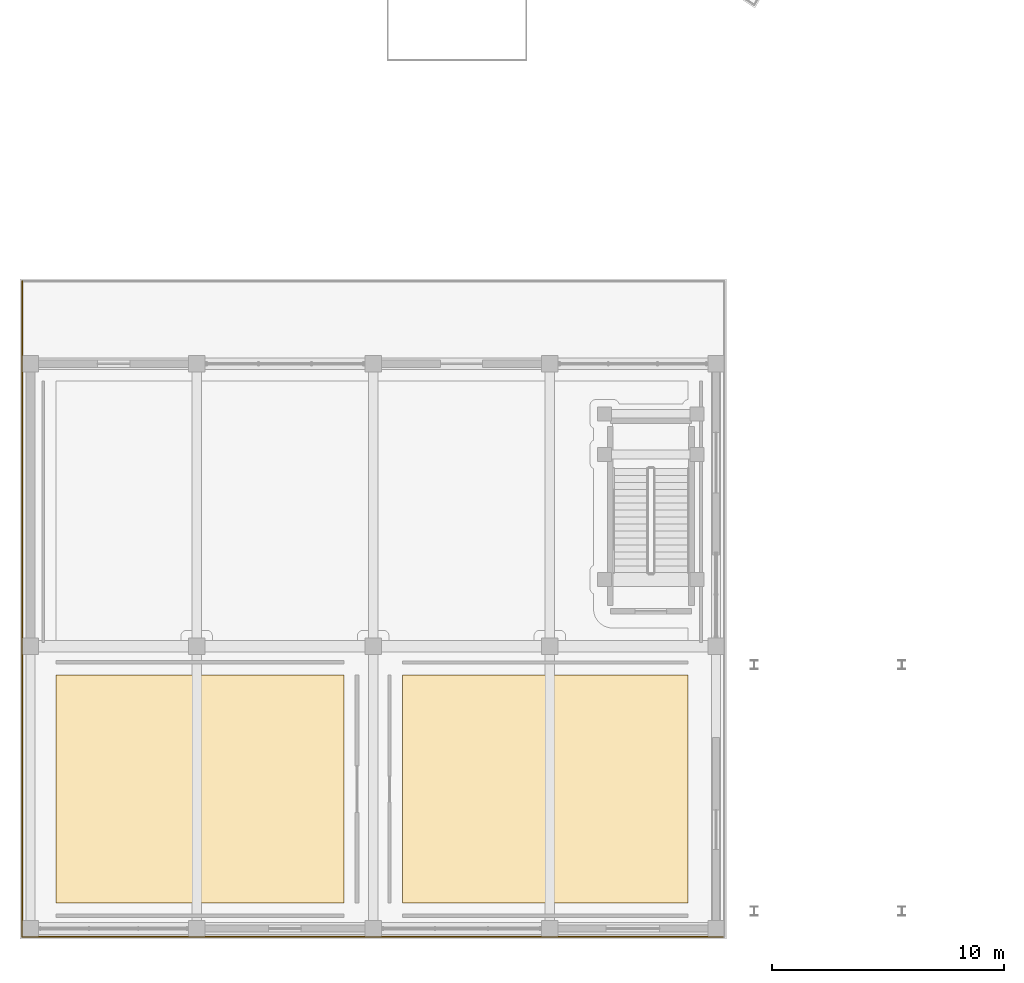
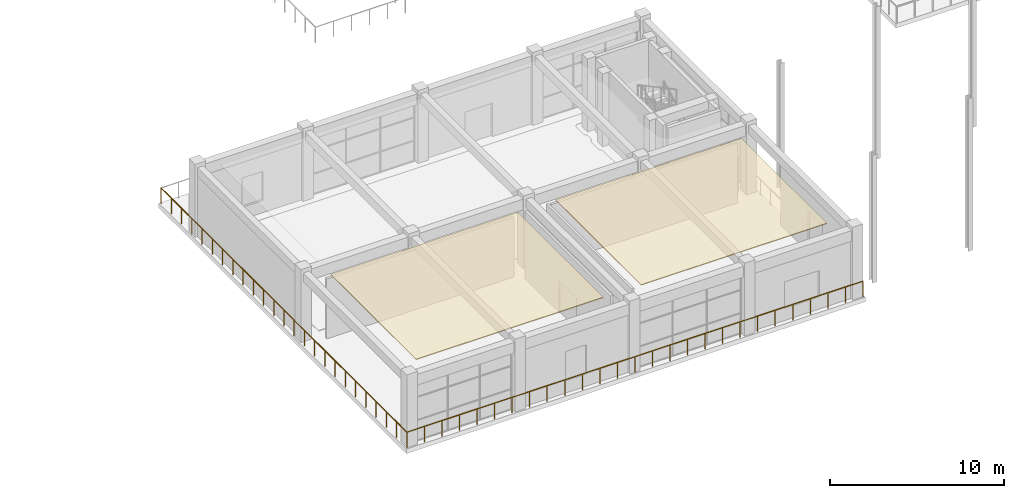
# One storey, part 77 of 99: 2 coverings, 2 railings.
"""IFC4 building model written with IfcOpenShell, lengths in metres."""

from ifc_helpers import new_model, si_unit, direction, frame, origin, origin_2d, place, context, subcontext, project, spatial, polyline, rectangle, outline, extrude, material, layer, layer_set, type_object, element, save


model = new_model("IFC4")

# Units and contexts
model_context = context("Model", 3, precision=1e-05, world=origin(), true_north=direction((0.0, 1.0)))
body_context = subcontext(model_context, "Body", "Model", "MODEL_VIEW")
ifc_project = project(units=[si_unit("LENGTHUNIT", "METRE"), si_unit("AREAUNIT", "SQUARE_METRE"), si_unit("VOLUMEUNIT", "CUBIC_METRE"), si_unit("PLANEANGLEUNIT", "RADIAN"), si_unit("MASSUNIT", "GRAM", prefix="KILO")], contexts=[model_context])

# Site, building, storey
site_placement = place(None, origin())
site = spatial("IfcSite", under=ifc_project, at=site_placement, CompositionType="ELEMENT")
building_placement = place(site_placement, origin())
building = spatial("IfcBuilding", under=site, at=building_placement, Name="Saryqyr Civic Hall", CompositionType="ELEMENT")
storey_placement = place(building_placement, origin())
storey = spatial("IfcBuildingStorey", under=building, at=storey_placement, Name="L00", CompositionType="ELEMENT", Elevation=0.0)

# Coverings
ifc_material_1 = material(Name="Mineral-fibre acoustic ceiling tile", Category="acoustic_tile")
ifc_layer_1 = layer(ifc_material_1, 0.06005859375, Name="Mineral-fibre acoustic ceiling tile")
ifc_layer_set_1 = layer_set([ifc_layer_1], Name="Mineral-fibre acoustic ceiling tile")
covering_type = type_object("IfcCoveringType", Name="INT-COV-CEIL-60", PredefinedType="CEILING", material=ifc_layer_set_1)
covering_1_placement = place(storey_placement, frame((0.0, 0.0, 4.760009765625)))
element("IfcCovering", 1, at=covering_1_placement, inside=storey, type_object=covering_type, Name="Acoustic ceiling Visitor Accreditation & Security Pavilion", PredefinedType="CEILING", context=body_context, shape_type="SweptSolid", body=[
    extrude(outline(polyline([(1.550048828125, 1.550048828125), (1.550048828125, 11.35009765625), (13.949951171875, 11.35009765625), (13.949951171875, 1.550048828125), (1.550048828125, 1.550048828125)])), origin(), (0.0, 0.0, 1.0), 0.06005859375),
])
covering_2_placement = place(storey_placement, frame((0.0, 0.0, 4.760009765625)))
element("IfcCovering", 2, at=covering_2_placement, inside=storey, type_object=covering_type, Name="Acoustic ceiling Public Civic Cafe & Bookshop", PredefinedType="CEILING", context=body_context, shape_type="SweptSolid", body=[
    extrude(outline(polyline([(16.449951171875, 1.550048828125), (16.449951171875, 11.35009765625), (28.75, 11.35009765625), (28.75, 1.550048828125), (16.449951171875, 1.550048828125)])), origin(), (0.0, 0.0, 1.0), 0.06005859375),
])

# Railings
ifc_material_2 = material(Name="Warm brushed brass and laminated glass", Category="glass")
ifc_layer_2 = layer(ifc_material_2, 0.06005859375, Name="Warm brushed brass and laminated glass")
ifc_layer_set_2 = layer_set([ifc_layer_2], Name="Warm brushed brass and laminated glass")
railing_type = type_object("IfcRailingType", Name="INT-RLG-BAL-1100", PredefinedType="BALUSTRADE", material=ifc_layer_set_2)
railing_1_placement = place(storey_placement, frame((30.300048828125, 0.10009765625, 0.0)))
element("IfcRailing", 3, at=railing_1_placement, inside=storey, type_object=railing_type, Name="Interior deck safety balustrade L00-077", PredefinedType="BALUSTRADE", context=body_context, shape_type="SweptSolid", body=[
    extrude(rectangle(XDim=0.048095703125, YDim=0.048095703125, at=origin_2d()), frame((0.0, 0.0, 1.09619140625), z_axis=(-1.0, 0.0, 0.0), x_axis=(0.0, -1.0, 0.0)), (0.0, 0.0, 1.0), 30.199951171875),
    extrude(rectangle(XDim=0.0419921875, YDim=0.0419921875, at=origin_2d()), origin(), (0.0, 0.0, 1.0), 1.072021484375),
    extrude(rectangle(XDim=0.0419921875, YDim=0.0419921875, at=origin_2d()), frame((-1.16162109375, 0.0, 0.0)), (0.0, 0.0, 1.0), 1.072021484375),
    extrude(rectangle(XDim=0.0419921875, YDim=0.0419921875, at=origin_2d()), frame((-2.322998046875, 0.0, 0.0)), (0.0, 0.0, 1.0), 1.072021484375),
    extrude(rectangle(XDim=0.0419921875, YDim=0.0419921875, at=origin_2d()), frame((-3.484619140625, 0.0, 0.0)), (0.0, 0.0, 1.0), 1.072021484375),
    extrude(rectangle(XDim=0.0419921875, YDim=0.0419921875, at=origin_2d()), frame((-4.646240234375, 0.0, 0.0)), (0.0, 0.0, 1.0), 1.072021484375),
    extrude(rectangle(XDim=0.0419921875, YDim=0.0419921875, at=origin_2d()), frame((-5.8076171875, 0.0, 0.0)), (0.0, 0.0, 1.0), 1.072021484375),
    extrude(rectangle(XDim=0.0419921875, YDim=0.0419921875, at=origin_2d()), frame((-6.96923828125, 0.0, 0.0)), (0.0, 0.0, 1.0), 1.072021484375),
    extrude(rectangle(XDim=0.0419921875, YDim=0.0419921875, at=origin_2d()), frame((-8.130859375, 0.0, 0.0)), (0.0, 0.0, 1.0), 1.072021484375),
    extrude(rectangle(XDim=0.0419921875, YDim=0.0419921875, at=origin_2d()), frame((-9.292236328125, 0.0, 0.0)), (0.0, 0.0, 1.0), 1.072021484375),
    extrude(rectangle(XDim=0.0419921875, YDim=0.0419921875, at=origin_2d()), frame((-10.453857421875, 0.0, 0.0)), (0.0, 0.0, 1.0), 1.072021484375),
    extrude(rectangle(XDim=0.0419921875, YDim=0.0419921875, at=origin_2d()), frame((-11.615478515625, 0.0, 0.0)), (0.0, 0.0, 1.0), 1.072021484375),
    extrude(rectangle(XDim=0.0419921875, YDim=0.0419921875, at=origin_2d()), frame((-12.77685546875, 0.0, 0.0)), (0.0, 0.0, 1.0), 1.072021484375),
    extrude(rectangle(XDim=0.0419921875, YDim=0.0419921875, at=origin_2d()), frame((-13.9384765625, 0.0, 0.0)), (0.0, 0.0, 1.0), 1.072021484375),
    extrude(rectangle(XDim=0.0419921875, YDim=0.0419921875, at=origin_2d()), frame((-15.10009765625, 0.0, 0.0)), (0.0, 0.0, 1.0), 1.072021484375),
    extrude(rectangle(XDim=0.0419921875, YDim=0.0419921875, at=origin_2d()), frame((-16.261474609375, 0.0, 0.0)), (0.0, 0.0, 1.0), 1.072021484375),
    extrude(rectangle(XDim=0.0419921875, YDim=0.0419921875, at=origin_2d()), frame((-17.423095703125, 0.0, 0.0)), (0.0, 0.0, 1.0), 1.072021484375),
    extrude(rectangle(XDim=0.0419921875, YDim=0.0419921875, at=origin_2d()), frame((-18.58447265625, 0.0, 0.0)), (0.0, 0.0, 1.0), 1.072021484375),
    extrude(rectangle(XDim=0.0419921875, YDim=0.0419921875, at=origin_2d()), frame((-19.74609375, 0.0, 0.0)), (0.0, 0.0, 1.0), 1.072021484375),
    extrude(rectangle(XDim=0.0419921875, YDim=0.0419921875, at=origin_2d()), frame((-20.90771484375, 0.0, 0.0)), (0.0, 0.0, 1.0), 1.072021484375),
    extrude(rectangle(XDim=0.0419921875, YDim=0.0419921875, at=origin_2d()), frame((-22.069091796875, 0.0, 0.0)), (0.0, 0.0, 1.0), 1.072021484375),
    extrude(rectangle(XDim=0.0419921875, YDim=0.0419921875, at=origin_2d()), frame((-23.230712890625, 0.0, 0.0)), (0.0, 0.0, 1.0), 1.072021484375),
    extrude(rectangle(XDim=0.0419921875, YDim=0.0419921875, at=origin_2d()), frame((-24.392333984375, 0.0, 0.0)), (0.0, 0.0, 1.0), 1.072021484375),
    extrude(rectangle(XDim=0.0419921875, YDim=0.0419921875, at=origin_2d()), frame((-25.5537109375, 0.0, 0.0)), (0.0, 0.0, 1.0), 1.072021484375),
    extrude(rectangle(XDim=0.0419921875, YDim=0.0419921875, at=origin_2d()), frame((-26.71533203125, 0.0, 0.0)), (0.0, 0.0, 1.0), 1.072021484375),
    extrude(rectangle(XDim=0.0419921875, YDim=0.0419921875, at=origin_2d()), frame((-27.876953125, 0.0, 0.0)), (0.0, 0.0, 1.0), 1.072021484375),
    extrude(rectangle(XDim=0.0419921875, YDim=0.0419921875, at=origin_2d()), frame((-29.038330078125, 0.0, 0.0)), (0.0, 0.0, 1.0), 1.072021484375),
    extrude(rectangle(XDim=0.0419921875, YDim=0.0419921875, at=origin_2d()), frame((-30.199951171875, 0.0, 0.0)), (0.0, 0.0, 1.0), 1.072021484375),
])
railing_2_placement = place(storey_placement, frame((0.10009765625, 0.10009765625, 0.0)))
element("IfcRailing", 4, at=railing_2_placement, inside=storey, type_object=railing_type, Name="Interior deck safety balustrade L00-078", PredefinedType="BALUSTRADE", context=body_context, shape_type="SweptSolid", body=[
    extrude(rectangle(XDim=0.048095703125, YDim=0.048095703125, at=origin_2d()), frame((0.0, 0.0, 1.09619140625), z_axis=(0.0, 1.0, 0.0), x_axis=(-1.0, 0.0, 0.0)), (0.0, 0.0, 1.0), 28.199951171875),
    extrude(rectangle(XDim=0.0419921875, YDim=0.0419921875, at=origin_2d()), origin(), (0.0, 0.0, 1.0), 1.072021484375),
    extrude(rectangle(XDim=0.0419921875, YDim=0.0419921875, at=origin_2d()), frame((0.0, 1.175048828125, 0.0)), (0.0, 0.0, 1.0), 1.072021484375),
    extrude(rectangle(XDim=0.0419921875, YDim=0.0419921875, at=origin_2d()), frame((0.0, 2.35009765625, 0.0)), (0.0, 0.0, 1.0), 1.072021484375),
    extrude(rectangle(XDim=0.0419921875, YDim=0.0419921875, at=origin_2d()), frame((0.0, 3.52490234375, 0.0)), (0.0, 0.0, 1.0), 1.072021484375),
    extrude(rectangle(XDim=0.0419921875, YDim=0.0419921875, at=origin_2d()), frame((0.0, 4.699951171875, 0.0)), (0.0, 0.0, 1.0), 1.072021484375),
    extrude(rectangle(XDim=0.0419921875, YDim=0.0419921875, at=origin_2d()), frame((0.0, 5.875, 0.0)), (0.0, 0.0, 1.0), 1.072021484375),
    extrude(rectangle(XDim=0.0419921875, YDim=0.0419921875, at=origin_2d()), frame((0.0, 7.050048828125, 0.0)), (0.0, 0.0, 1.0), 1.072021484375),
    extrude(rectangle(XDim=0.0419921875, YDim=0.0419921875, at=origin_2d()), frame((0.0, 8.22509765625, 0.0)), (0.0, 0.0, 1.0), 1.072021484375),
    extrude(rectangle(XDim=0.0419921875, YDim=0.0419921875, at=origin_2d()), frame((0.0, 9.39990234375, 0.0)), (0.0, 0.0, 1.0), 1.072021484375),
    extrude(rectangle(XDim=0.0419921875, YDim=0.0419921875, at=origin_2d()), frame((0.0, 10.574951171875, 0.0)), (0.0, 0.0, 1.0), 1.072021484375),
    extrude(rectangle(XDim=0.0419921875, YDim=0.0419921875, at=origin_2d()), frame((0.0, 11.75, 0.0)), (0.0, 0.0, 1.0), 1.072021484375),
    extrude(rectangle(XDim=0.0419921875, YDim=0.0419921875, at=origin_2d()), frame((0.0, 12.925048828125, 0.0)), (0.0, 0.0, 1.0), 1.072021484375),
    extrude(rectangle(XDim=0.0419921875, YDim=0.0419921875, at=origin_2d()), frame((0.0, 14.10009765625, 0.0)), (0.0, 0.0, 1.0), 1.072021484375),
    extrude(rectangle(XDim=0.0419921875, YDim=0.0419921875, at=origin_2d()), frame((0.0, 15.27490234375, 0.0)), (0.0, 0.0, 1.0), 1.072021484375),
    extrude(rectangle(XDim=0.0419921875, YDim=0.0419921875, at=origin_2d()), frame((0.0, 16.449951171875, 0.0)), (0.0, 0.0, 1.0), 1.072021484375),
    extrude(rectangle(XDim=0.0419921875, YDim=0.0419921875, at=origin_2d()), frame((0.0, 17.625, 0.0)), (0.0, 0.0, 1.0), 1.072021484375),
    extrude(rectangle(XDim=0.0419921875, YDim=0.0419921875, at=origin_2d()), frame((0.0, 18.800048828125, 0.0)), (0.0, 0.0, 1.0), 1.072021484375),
    extrude(rectangle(XDim=0.0419921875, YDim=0.0419921875, at=origin_2d()), frame((0.0, 19.974853515625, 0.0)), (0.0, 0.0, 1.0), 1.072021484375),
    extrude(rectangle(XDim=0.0419921875, YDim=0.0419921875, at=origin_2d()), frame((0.0, 21.14990234375, 0.0)), (0.0, 0.0, 1.0), 1.072021484375),
    extrude(rectangle(XDim=0.0419921875, YDim=0.0419921875, at=origin_2d()), frame((0.0, 22.324951171875, 0.0)), (0.0, 0.0, 1.0), 1.072021484375),
    extrude(rectangle(XDim=0.0419921875, YDim=0.0419921875, at=origin_2d()), frame((0.0, 23.5, 0.0)), (0.0, 0.0, 1.0), 1.072021484375),
    extrude(rectangle(XDim=0.0419921875, YDim=0.0419921875, at=origin_2d()), frame((0.0, 24.675048828125, 0.0)), (0.0, 0.0, 1.0), 1.072021484375),
    extrude(rectangle(XDim=0.0419921875, YDim=0.0419921875, at=origin_2d()), frame((0.0, 25.849853515625, 0.0)), (0.0, 0.0, 1.0), 1.072021484375),
    extrude(rectangle(XDim=0.0419921875, YDim=0.0419921875, at=origin_2d()), frame((0.0, 27.02490234375, 0.0)), (0.0, 0.0, 1.0), 1.072021484375),
    extrude(rectangle(XDim=0.0419921875, YDim=0.0419921875, at=origin_2d()), frame((0.0, 28.199951171875, 0.0)), (0.0, 0.0, 1.0), 1.072021484375),
])

save(model, "model.ifc")
